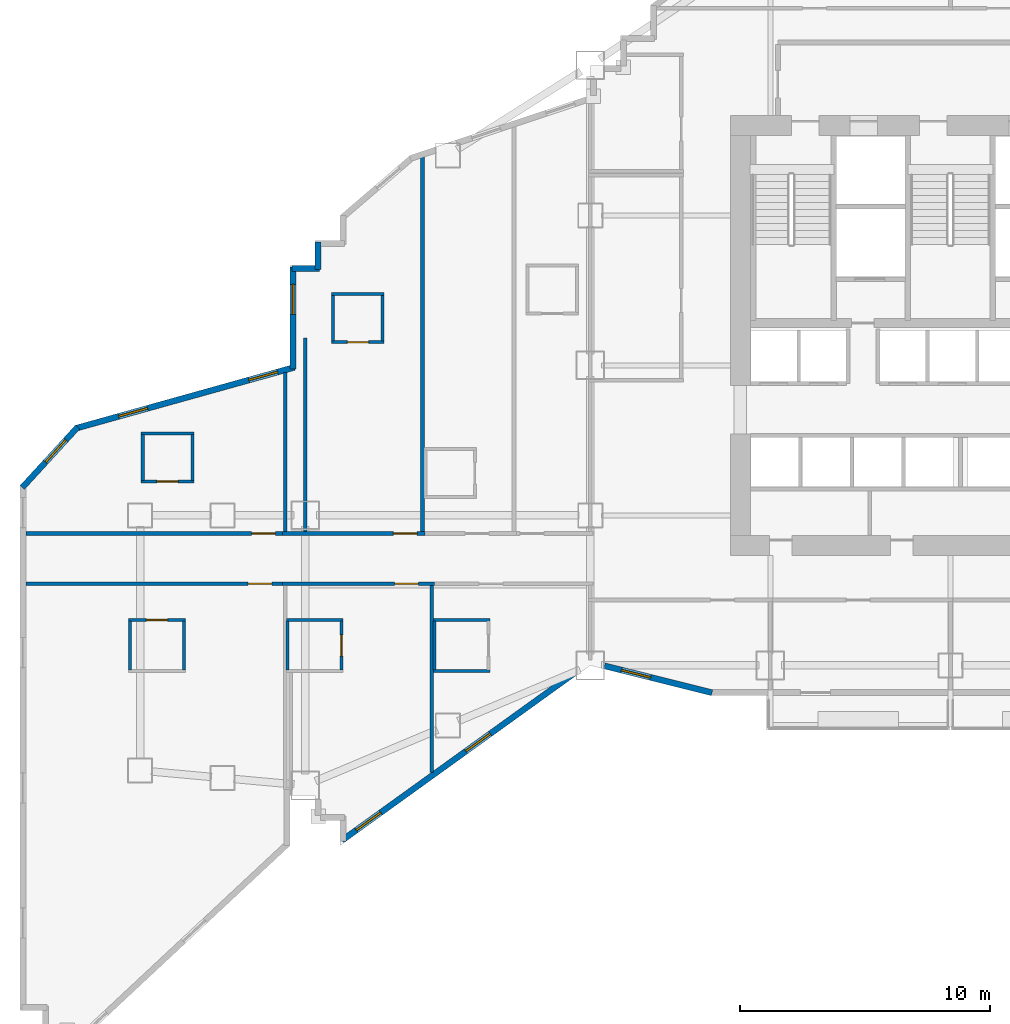
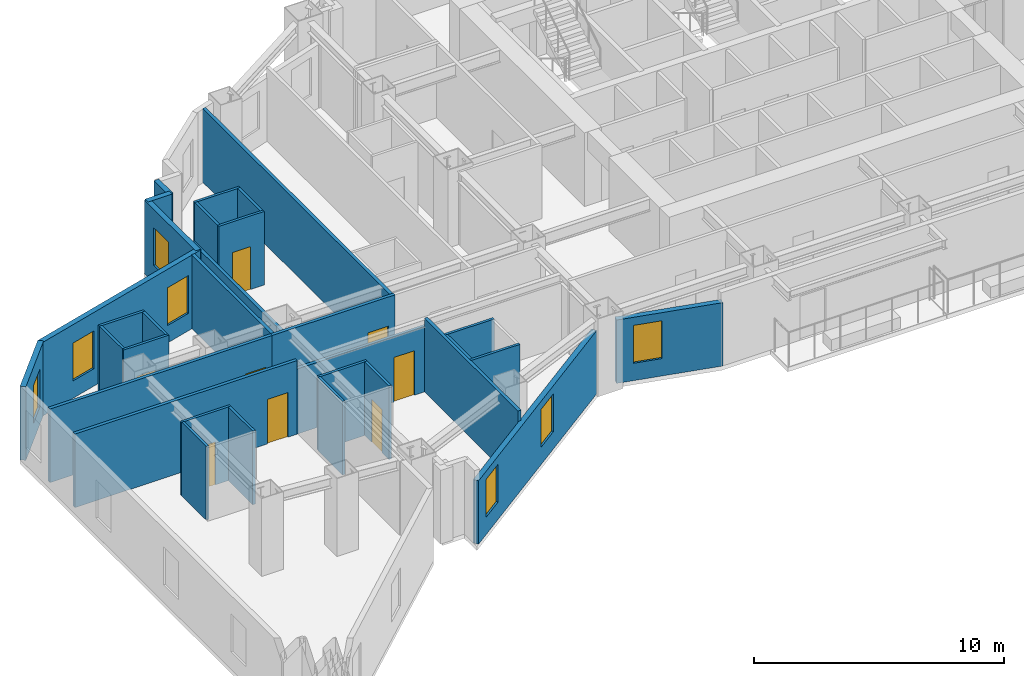
# One storey, part 7 of 16: 32 walls, 8 doors, 7 windows, 15 openings.
"""IFC4 building model written with IfcOpenShell, lengths in metres."""

from ifc_helpers import new_model, si_unit, direction, frame, frame_2d, origin, place, context, subcontext, project, spatial, rectangle, extrude, material, layer, layer_set, type_object, element, fill, save


model = new_model("IFC4")

# Units and contexts
model_context = context("Model", 3, precision=1e-05, world=origin(), true_north=direction((0.0, 1.0)))
body_context = subcontext(model_context, "Body", "Model", "MODEL_VIEW")
ifc_project = project(units=[si_unit("LENGTHUNIT", "METRE"), si_unit("AREAUNIT", "SQUARE_METRE"), si_unit("VOLUMEUNIT", "CUBIC_METRE"), si_unit("PLANEANGLEUNIT", "RADIAN"), si_unit("MASSUNIT", "GRAM", prefix="KILO")], contexts=[model_context])

# Site, building, storey
site_placement = place(None, origin())
site = spatial("IfcSite", under=ifc_project, at=site_placement, CompositionType="ELEMENT")
building_placement = place(site_placement, origin())
building = spatial("IfcBuilding", under=site, at=building_placement, Name="Haolan Belvedere Tower", CompositionType="ELEMENT")
storey_placement = place(building_placement, frame((0.0, 0.0, 74.199951171875)))
storey = spatial("IfcBuildingStorey", under=building, at=storey_placement, Name="L18", CompositionType="ELEMENT", Elevation=74.199951171875)

# Wall, openings, windows
ifc_material_1 = material(Name="Precast concrete C40/50", Category="concrete")
ifc_layer_1 = layer(ifc_material_1, 0.239990234375, Name="Precast concrete C40/50")
ifc_layer_set_1 = layer_set([ifc_layer_1], Name="Precast concrete C40/50")
wall_type_1 = type_object("IfcWallType", Name="WL-EXT-240", PredefinedType="SOLIDWALL", material=ifc_layer_set_1)
wall_1_placement = place(storey_placement, frame((14.075439453125, 14.602294921875, 0.0), z_axis=(0.0, 0.0, 1.0), x_axis=(0.811543176492, 0.58429245476, 0.0)))
wall_1 = element("IfcWall", 1, at=wall_1_placement, inside=storey, type_object=wall_type_1, Name="L18 pale-metal exterior spandrel wall 11.1", PredefinedType="SOLIDWALL", context=body_context, shape_type="SweptSolid", body=[
    extrude(rectangle(XDim=11.53076171875, YDim=0.239990234375, at=frame_2d((5.765380859375, 0.0))), origin(), (0.0, 0.0, 1.0), 3.09716796875),
])
opening_1_placement = place(wall_1_placement, frame((0.699951171875, 0.0, 0.85009765625)))
opening_1 = element("IfcOpeningElement", 2, at=opening_1_placement, cuts=wall_1, Name="Opening W-01", PredefinedType="OPENING", context=body_context, shape_type="SweptSolid", body=[
    extrude(rectangle(XDim=1.199951171875, YDim=1.85009765625, at=frame_2d((0.60009765625, 0.925048828125))), frame((0.0, 0.1298828125, 0.0), z_axis=(0.0, -1.0, 0.0), x_axis=(1.0, 0.0, 0.0)), (0.0, 0.0, 1.0), 0.260009765625),
])
opening_2_placement = place(wall_1_placement, frame((6.10009765625, 0.0, 0.85009765625)))
opening_2 = element("IfcOpeningElement", 3, at=opening_2_placement, cuts=wall_1, Name="Opening W-01", PredefinedType="OPENING", context=body_context, shape_type="SweptSolid", body=[
    extrude(rectangle(XDim=1.199951171875, YDim=1.85009765625, at=frame_2d((0.60009765625, 0.925048828125))), frame((0.0, 0.1298828125, 0.0), z_axis=(0.0, -1.0, 0.0), x_axis=(1.0, 0.0, 0.0)), (0.0, 0.0, 1.0), 0.260009765625),
])
ifc_material_2 = material(Name="Anodised aluminium 6063-T6 and Low-E glass", Category="aluminium")
window_type = type_object("IfcWindowType", Name="WN-DECO-Z1", PartitioningType="SINGLE_PANEL", PredefinedType="WINDOW", material=ifc_material_2)
window_1_placement = place(opening_1_placement, origin())
window_1 = element("IfcWindow", 4, at=window_1_placement, inside=storey, type_object=window_type, Name="L18 Art Deco chevron window 1", OverallHeight=1.85009765625, OverallWidth=1.199951171875, PartitioningType="SINGLE_PANEL", PredefinedType="WINDOW", context=body_context, shape_type="SweptSolid", body=[
    extrude(rectangle(XDim=1.199951171875, YDim=1.85009765625, at=frame_2d((0.60009765625, 0.925048828125))), frame((0.0, 0.030029296875, 0.0), z_axis=(0.0, -1.0, 0.0), x_axis=(1.0, 0.0, 0.0)), (0.0, 0.0, 1.0), 0.06005859375),
])
fill(opening_1, window_1)
window_2_placement = place(opening_2_placement, origin())
window_2 = element("IfcWindow", 5, at=window_2_placement, inside=storey, type_object=window_type, Name="L18 Art Deco chevron window 2", OverallHeight=1.85009765625, OverallWidth=1.199951171875, PartitioningType="SINGLE_PANEL", PredefinedType="WINDOW", context=body_context, shape_type="SweptSolid", body=[
    extrude(rectangle(XDim=1.199951171875, YDim=1.85009765625, at=frame_2d((0.60009765625, 0.925048828125))), frame((0.0, 0.030029296875, 0.0), z_axis=(0.0, -1.0, 0.0), x_axis=(1.0, 0.0, 0.0)), (0.0, 0.0, 1.0), 0.06005859375),
])
fill(opening_2, window_2)

# Wall, opening, window
wall_2_placement = place(storey_placement, frame((24.56689453125, 21.581787109375, 0.0), z_axis=(0.0, 0.0, 1.0), x_axis=(0.970148978127, -0.24250971164, 0.0)))
wall_2 = element("IfcWall", 6, at=wall_2_placement, inside=storey, type_object=wall_type_1, Name="L18 pale-metal exterior spandrel wall 12.1", PredefinedType="SOLIDWALL", context=body_context, shape_type="SweptSolid", body=[
    extrude(rectangle(XDim=4.43359375, YDim=0.239990234375, at=frame_2d((2.216796875, 0.0))), origin(), (0.0, 0.0, 1.0), 3.09716796875),
])
opening_3_placement = place(wall_2_placement, frame((0.699951171875, 0.0, 0.85009765625)))
opening_3 = element("IfcOpeningElement", 7, at=opening_3_placement, cuts=wall_2, Name="Opening W-01", PredefinedType="OPENING", context=body_context, shape_type="SweptSolid", body=[
    extrude(rectangle(XDim=1.199951171875, YDim=1.85009765625, at=frame_2d((0.60009765625, 0.925048828125))), frame((0.0, 0.1298828125, 0.0), z_axis=(0.0, -1.0, 0.0), x_axis=(1.0, 0.0, 0.0)), (0.0, 0.0, 1.0), 0.260009765625),
])
window_3_placement = place(opening_3_placement, origin())
window_3 = element("IfcWindow", 8, at=window_3_placement, inside=storey, type_object=window_type, Name="L18 Art Deco chevron window 1", OverallHeight=1.85009765625, OverallWidth=1.199951171875, PartitioningType="SINGLE_PANEL", PredefinedType="WINDOW", context=body_context, shape_type="SweptSolid", body=[
    extrude(rectangle(XDim=1.199951171875, YDim=1.85009765625, at=frame_2d((0.60009765625, 0.925048828125))), frame((0.0, 0.030029296875, 0.0), z_axis=(0.0, -1.0, 0.0), x_axis=(1.0, 0.0, 0.0)), (0.0, 0.0, 1.0), 0.06005859375),
])
fill(opening_3, window_3)

# Walls
wall_3_placement = place(storey_placement, frame((13.1201171875, 38.534912109375, 0.0), z_axis=(0.0, 0.0, 1.0), x_axis=(0.0, -1.0, 0.0)))
element("IfcWall", 9, at=wall_3_placement, inside=storey, type_object=wall_type_1, Name="L18 pale-metal exterior spandrel wall 54.1", PredefinedType="SOLIDWALL", context=body_context, shape_type="SweptSolid", body=[
    extrude(rectangle(XDim=1.10986328125, YDim=0.239990234375, at=frame_2d((0.554931640625, 0.0))), origin(), (0.0, 0.0, 1.0), 3.60009765625),
])
wall_4_placement = place(storey_placement, frame((13.175048828125, 37.47998046875, 0.0), z_axis=(0.0, 0.0, 1.0), x_axis=(-1.0, 0.0, 0.0)))
element("IfcWall", 10, at=wall_4_placement, inside=storey, type_object=wall_type_1, Name="L18 pale-metal exterior spandrel wall 55.1", PredefinedType="SOLIDWALL", context=body_context, shape_type="SweptSolid", body=[
    extrude(rectangle(XDim=1.110107421875, YDim=0.239990234375, at=frame_2d((0.55517578125, 0.0))), origin(), (0.0, 0.0, 1.0), 3.60009765625),
])

# Wall, opening, window
wall_5_placement = place(storey_placement, frame((12.1201171875, 37.534912109375, 0.0), z_axis=(0.0, 0.0, 1.0), x_axis=(0.0, -1.0, 0.0)))
wall_5 = element("IfcWall", 11, at=wall_5_placement, inside=storey, type_object=wall_type_1, Name="L18 pale-metal exterior spandrel wall 56.1", PredefinedType="SOLIDWALL", context=body_context, shape_type="SweptSolid", body=[
    extrude(rectangle(XDim=4.0810546875, YDim=0.239990234375, at=frame_2d((2.04052734375, 0.0))), origin(), (0.0, 0.0, 1.0), 3.60009765625),
])
opening_4_placement = place(wall_5_placement, frame((0.699951171875, 0.0, 0.85009765625)))
opening_4 = element("IfcOpeningElement", 12, at=opening_4_placement, cuts=wall_5, Name="Opening W-01", PredefinedType="OPENING", context=body_context, shape_type="SweptSolid", body=[
    extrude(rectangle(XDim=1.199951171875, YDim=1.85009765625, at=frame_2d((0.60009765625, 0.925048828125))), frame((0.0, 0.1298828125, 0.0), z_axis=(0.0, -1.0, 0.0), x_axis=(1.0, 0.0, 0.0)), (0.0, 0.0, 1.0), 0.260009765625),
])
window_4_placement = place(opening_4_placement, origin())
window_4 = element("IfcWindow", 13, at=window_4_placement, inside=storey, type_object=window_type, Name="L18 Art Deco chevron window 1", OverallHeight=1.85009765625, OverallWidth=1.199951171875, PartitioningType="SINGLE_PANEL", PredefinedType="WINDOW", context=body_context, shape_type="SweptSolid", body=[
    extrude(rectangle(XDim=1.199951171875, YDim=1.85009765625, at=frame_2d((0.60009765625, 0.925048828125))), frame((0.0, 0.030029296875, 0.0), z_axis=(0.0, -1.0, 0.0), x_axis=(1.0, 0.0, 0.0)), (0.0, 0.0, 1.0), 0.06005859375),
])
fill(opening_4, window_4)

# Wall, openings, windows
wall_6_placement = place(storey_placement, frame((12.173095703125, 33.523681640625, 0.0), z_axis=(0.0, 0.0, 1.0), x_axis=(-0.963197271032, -0.268795493036, 0.0)))
wall_6 = element("IfcWall", 14, at=wall_6_placement, inside=storey, type_object=wall_type_1, Name="L18 pale-metal exterior spandrel wall 57.1", PredefinedType="SOLIDWALL", context=body_context, shape_type="SweptSolid", body=[
    extrude(rectangle(XDim=9.095458984375, YDim=0.239990234375, at=frame_2d((4.5478515625, 0.0))), origin(), (0.0, 0.0, 1.0), 3.60009765625),
])
opening_5_placement = place(wall_6_placement, frame((0.699951171875, 0.0, 0.85009765625)))
opening_5 = element("IfcOpeningElement", 15, at=opening_5_placement, cuts=wall_6, Name="Opening W-01", PredefinedType="OPENING", context=body_context, shape_type="SweptSolid", body=[
    extrude(rectangle(XDim=1.199951171875, YDim=1.85009765625, at=frame_2d((0.60009765625, 0.925048828125))), frame((0.0, 0.1298828125, 0.0), z_axis=(0.0, -1.0, 0.0), x_axis=(1.0, 0.0, 0.0)), (0.0, 0.0, 1.0), 0.260009765625),
])
opening_6_placement = place(wall_6_placement, frame((6.10009765625, 0.0, 0.85009765625)))
opening_6 = element("IfcOpeningElement", 16, at=opening_6_placement, cuts=wall_6, Name="Opening W-01", PredefinedType="OPENING", context=body_context, shape_type="SweptSolid", body=[
    extrude(rectangle(XDim=1.199951171875, YDim=1.85009765625, at=frame_2d((0.60009765625, 0.925048828125))), frame((0.0, 0.1298828125, 0.0), z_axis=(0.0, -1.0, 0.0), x_axis=(1.0, 0.0, 0.0)), (0.0, 0.0, 1.0), 0.260009765625),
])
window_5_placement = place(opening_5_placement, origin())
window_5 = element("IfcWindow", 17, at=window_5_placement, inside=storey, type_object=window_type, Name="L18 Art Deco chevron window 1", OverallHeight=1.85009765625, OverallWidth=1.199951171875, PartitioningType="SINGLE_PANEL", PredefinedType="WINDOW", context=body_context, shape_type="SweptSolid", body=[
    extrude(rectangle(XDim=1.199951171875, YDim=1.85009765625, at=frame_2d((0.60009765625, 0.925048828125))), frame((0.0, 0.030029296875, 0.0), z_axis=(0.0, -1.0, 0.0), x_axis=(1.0, 0.0, 0.0)), (0.0, 0.0, 1.0), 0.06005859375),
])
fill(opening_5, window_5)
window_6_placement = place(opening_6_placement, origin())
window_6 = element("IfcWindow", 18, at=window_6_placement, inside=storey, type_object=window_type, Name="L18 Art Deco chevron window 2", OverallHeight=1.85009765625, OverallWidth=1.199951171875, PartitioningType="SINGLE_PANEL", PredefinedType="WINDOW", context=body_context, shape_type="SweptSolid", body=[
    extrude(rectangle(XDim=1.199951171875, YDim=1.85009765625, at=frame_2d((0.60009765625, 0.925048828125))), frame((0.0, 0.030029296875, 0.0), z_axis=(0.0, -1.0, 0.0), x_axis=(1.0, 0.0, 0.0)), (0.0, 0.0, 1.0), 0.06005859375),
])
fill(opening_6, window_6)

# Wall, opening, window
wall_7_placement = place(storey_placement, frame((3.50244140625, 31.134033203125, 0.0), z_axis=(0.0, 0.0, 1.0), x_axis=(-0.675781844312, -0.737101688302, 0.0)))
wall_7 = element("IfcWall", 19, at=wall_7_placement, inside=storey, type_object=wall_type_1, Name="L18 pale-metal exterior spandrel wall 58.1", PredefinedType="SOLIDWALL", context=body_context, shape_type="SweptSolid", body=[
    extrude(rectangle(XDim=3.28466796875, YDim=0.239990234375, at=frame_2d((1.642333984375, 0.0))), origin(), (0.0, 0.0, 1.0), 3.60009765625),
])
opening_7_placement = place(wall_7_placement, frame((0.699951171875, 0.0, 0.85009765625)))
opening_7 = element("IfcOpeningElement", 20, at=opening_7_placement, cuts=wall_7, Name="Opening W-01", PredefinedType="OPENING", context=body_context, shape_type="SweptSolid", body=[
    extrude(rectangle(XDim=1.199951171875, YDim=1.85009765625, at=frame_2d((0.60009765625, 0.925048828125))), frame((0.0, 0.1298828125, 0.0), z_axis=(0.0, -1.0, 0.0), x_axis=(1.0, 0.0, 0.0)), (0.0, 0.0, 1.0), 0.260009765625),
])
window_7_placement = place(opening_7_placement, origin())
window_7 = element("IfcWindow", 21, at=window_7_placement, inside=storey, type_object=window_type, Name="L18 Art Deco chevron window 1", OverallHeight=1.85009765625, OverallWidth=1.199951171875, PartitioningType="SINGLE_PANEL", PredefinedType="WINDOW", context=body_context, shape_type="SweptSolid", body=[
    extrude(rectangle(XDim=1.199951171875, YDim=1.85009765625, at=frame_2d((0.60009765625, 0.925048828125))), frame((0.0, 0.030029296875, 0.0), z_axis=(0.0, -1.0, 0.0), x_axis=(1.0, 0.0, 0.0)), (0.0, 0.0, 1.0), 0.06005859375),
])
fill(opening_7, window_7)

# Wall, opening, door
ifc_material_3 = material(Name="Double gypsum acoustic stud partition", Category="masonry")
ifc_layer_2 = layer(ifc_material_3, 0.14990234375, Name="Double gypsum acoustic stud partition")
ifc_layer_set_2 = layer_set([ifc_layer_2], Name="Double gypsum acoustic stud partition")
wall_type_2 = type_object("IfcWallType", Name="WL-PART-150", PredefinedType="PARTITIONING", material=ifc_layer_set_2)
wall_8_placement = place(storey_placement, frame((11.699951171875, 26.8798828125, 0.0), z_axis=(0.0, 0.0, 1.0), x_axis=(1.0, 0.0, 0.0)))
wall_8 = element("IfcWall", 22, at=wall_8_placement, inside=storey, type_object=wall_type_2, Name="L18 interior partition IW-L18-T2N1-S", PredefinedType="PARTITIONING", context=body_context, shape_type="SweptSolid", body=[
    extrude(rectangle(XDim=5.68994140625, YDim=0.14990234375, at=frame_2d((2.844970703125, 0.0))), origin(), (0.0, 0.0, 1.0), 3.60009765625),
])
opening_8_placement = place(wall_8_placement, frame((4.422119140625, 0.0, 0.0)))
opening_8 = element("IfcOpeningElement", 23, at=opening_8_placement, cuts=wall_8, Name="Opening ID-01", PredefinedType="OPENING", context=body_context, shape_type="SweptSolid", body=[
    extrude(rectangle(XDim=0.949951171875, YDim=2.179931640625, at=frame_2d((0.47509765625, 1.08984375))), frame((0.0, 0.0849609375, 0.0), z_axis=(0.0, -1.0, 0.0), x_axis=(1.0, 0.0, 0.0)), (0.0, 0.0, 1.0), 0.169921875),
])
ifc_material_4 = material(Name="Acoustic walnut veneer fire-rated timber", Category="wood")
door_type_1 = type_object("IfcDoorType", Name="DR-SUITE-950", OperationType="NOTDEFINED", PredefinedType="DOOR", material=ifc_material_4)
door_1_placement = place(opening_8_placement, origin())
door_1 = element("IfcDoor", 24, at=door_1_placement, inside=storey, type_object=door_type_1, Name="L18 door ID-L18-T2N1-ENT", OperationType="SINGLE_SWING_RIGHT", OverallHeight=2.179931640625, OverallWidth=0.949951171875, PredefinedType="DOOR", context=body_context, shape_type="SweptSolid", body=[
    extrude(rectangle(XDim=0.949951171875, YDim=2.179931640625, at=frame_2d((0.47509765625, 1.08984375))), frame((0.0, 0.02490234375, 0.0), z_axis=(0.0, -1.0, 0.0), x_axis=(1.0, 0.0, 0.0)), (0.0, 0.0, 1.0), 0.050048828125),
])
fill(opening_8, door_1)

# Walls
wall_9_placement = place(storey_placement, frame((11.800048828125, 26.93994140625, 0.0), z_axis=(0.0, 0.0, 1.0), x_axis=(0.0, 1.0, 0.0)))
element("IfcWall", 25, at=wall_9_placement, inside=storey, type_object=wall_type_2, Name="L18 interior partition IW-L18-T2N1-W", PredefinedType="PARTITIONING", context=body_context, shape_type="SweptSolid", body=[
    extrude(rectangle(XDim=6.37060546875, YDim=0.14990234375, at=frame_2d((3.185302734375, 0.0))), origin(), (0.0, 0.0, 1.0), 3.60009765625),
])
wall_10_placement = place(storey_placement, frame((17.2900390625, 26.93994140625, 0.0), z_axis=(0.0, 0.0, 1.0), x_axis=(0.0, 1.0, 0.0)))
element("IfcWall", 26, at=wall_10_placement, inside=storey, type_object=wall_type_2, Name="L18 interior partition IW-L18-T2N1-E", PredefinedType="PARTITIONING", context=body_context, shape_type="SweptSolid", body=[
    extrude(rectangle(XDim=14.986328125, YDim=0.14990234375, at=frame_2d((7.4931640625, 0.0))), origin(), (0.0, 0.0, 1.0), 3.60009765625),
])

# Wall, opening, door
wall_11_placement = place(storey_placement, frame((11.699951171875, 24.8701171875, 0.0), z_axis=(0.0, 0.0, 1.0), x_axis=(1.0, 0.0, 0.0)))
wall_11 = element("IfcWall", 27, at=wall_11_placement, inside=storey, type_object=wall_type_2, Name="L18 interior partition IW-L18-T2S1-N", PredefinedType="PARTITIONING", context=body_context, shape_type="SweptSolid", body=[
    extrude(rectangle(XDim=6.06005859375, YDim=0.14990234375, at=frame_2d((3.030029296875, 0.0))), origin(), (0.0, 0.0, 1.0), 3.18505859375),
])
opening_9_placement = place(wall_11_placement, frame((5.427490234375, 0.0, 0.0), z_axis=(0.0, 0.0, 1.0), x_axis=(-1.0, 0.0, 0.0)))
opening_9 = element("IfcOpeningElement", 28, at=opening_9_placement, cuts=wall_11, Name="Opening ID-01", PredefinedType="OPENING", context=body_context, shape_type="SweptSolid", body=[
    extrude(rectangle(XDim=0.949951171875, YDim=2.179931640625, at=frame_2d((0.47509765625, 1.08984375))), frame((0.0, 0.0849609375, 0.0), z_axis=(0.0, -1.0, 0.0), x_axis=(1.0, 0.0, 0.0)), (0.0, 0.0, 1.0), 0.169921875),
])
door_2_placement = place(opening_9_placement, origin())
door_2 = element("IfcDoor", 29, at=door_2_placement, inside=storey, type_object=door_type_1, Name="L18 door ID-L18-T2S1-ENT", OperationType="SINGLE_SWING_LEFT", OverallHeight=2.179931640625, OverallWidth=0.949951171875, PredefinedType="DOOR", context=body_context, shape_type="SweptSolid", body=[
    extrude(rectangle(XDim=0.949951171875, YDim=2.179931640625, at=frame_2d((0.47509765625, 1.08984375))), frame((0.0, 0.02490234375, 0.0), z_axis=(0.0, -1.0, 0.0), x_axis=(1.0, 0.0, 0.0)), (0.0, 0.0, 1.0), 0.050048828125),
])
fill(opening_9, door_2)

# Wall
wall_12_placement = place(storey_placement, frame((17.659912109375, 17.3125, 0.0), z_axis=(0.0, 0.0, 1.0), x_axis=(0.0, 1.0, 0.0)))
element("IfcWall", 30, at=wall_12_placement, inside=storey, type_object=wall_type_2, Name="L18 interior partition IW-L18-T2S1-E", PredefinedType="PARTITIONING", context=body_context, shape_type="SweptSolid", body=[
    extrude(rectangle(XDim=7.49755859375, YDim=0.14990234375, at=frame_2d((3.748779296875, 0.0))), origin(), (0.0, 0.0, 1.0), 3.60009765625),
])

# Wall, opening, door
wall_13_placement = place(storey_placement, frame((1.425048828125, 24.8701171875, 0.0), z_axis=(0.0, 0.0, 1.0), x_axis=(1.0, 0.0, 0.0)))
wall_13 = element("IfcWall", 31, at=wall_13_placement, inside=storey, type_object=wall_type_2, Name="L18 interior partition IW-L18-T1S1-N", PredefinedType="PARTITIONING", context=body_context, shape_type="SweptSolid", body=[
    extrude(rectangle(XDim=10.27294921875, YDim=0.14990234375, at=frame_2d((5.136474609375, 0.0))), origin(), (0.0, 0.0, 1.0), 3.60009765625),
])
opening_10_placement = place(wall_13_placement, frame((9.84375, 0.0, 0.0), z_axis=(0.0, 0.0, 1.0), x_axis=(-1.0, 0.0, 0.0)))
opening_10 = element("IfcOpeningElement", 32, at=opening_10_placement, cuts=wall_13, Name="Opening ID-01", PredefinedType="OPENING", context=body_context, shape_type="SweptSolid", body=[
    extrude(rectangle(XDim=0.949951171875, YDim=2.179931640625, at=frame_2d((0.47509765625, 1.08984375))), frame((0.0, 0.0849609375, 0.0), z_axis=(0.0, -1.0, 0.0), x_axis=(1.0, 0.0, 0.0)), (0.0, 0.0, 1.0), 0.169921875),
])
door_3_placement = place(opening_10_placement, origin())
door_3 = element("IfcDoor", 33, at=door_3_placement, inside=storey, type_object=door_type_1, Name="L18 door ID-L18-T1S1-ENT", OperationType="SINGLE_SWING_RIGHT", OverallHeight=2.179931640625, OverallWidth=0.949951171875, PredefinedType="DOOR", context=body_context, shape_type="SweptSolid", body=[
    extrude(rectangle(XDim=0.949951171875, YDim=2.179931640625, at=frame_2d((0.47509765625, 1.08984375))), frame((0.0, 0.02490234375, 0.0), z_axis=(0.0, -1.0, 0.0), x_axis=(1.0, 0.0, 0.0)), (0.0, 0.0, 1.0), 0.050048828125),
])
fill(opening_10, door_3)

wall_14_placement = place(storey_placement, frame((1.425048828125, 26.8798828125, 0.0), z_axis=(0.0, 0.0, 1.0), x_axis=(1.0, 0.0, 0.0)))
wall_14 = element("IfcWall", 34, at=wall_14_placement, inside=storey, type_object=wall_type_2, Name="L18 interior partition IW-L18-T1N1-S", PredefinedType="PARTITIONING", context=body_context, shape_type="SweptSolid", body=[
    extrude(rectangle(XDim=10.27294921875, YDim=0.14990234375, at=frame_2d((5.136474609375, 0.0))), origin(), (0.0, 0.0, 1.0), 3.60009765625),
])
opening_11_placement = place(wall_14_placement, frame((9.036376953125, 0.0, 0.0)))
opening_11 = element("IfcOpeningElement", 35, at=opening_11_placement, cuts=wall_14, Name="Opening ID-02", PredefinedType="OPENING", context=body_context, shape_type="SweptSolid", body=[
    extrude(rectangle(XDim=0.949951171875, YDim=2.14990234375, at=frame_2d((0.47509765625, 1.074951171875))), frame((0.0, 0.0849609375, 0.0), z_axis=(0.0, -1.0, 0.0), x_axis=(1.0, 0.0, 0.0)), (0.0, 0.0, 1.0), 0.169921875),
])
ifc_material_5 = material(Name="Acoustic oak veneer fire-rated timber", Category="wood")
door_type_2 = type_object("IfcDoorType", Name="DR-GUEST-950", OperationType="NOTDEFINED", PredefinedType="DOOR", material=ifc_material_5)
door_4_placement = place(opening_11_placement, origin())
door_4 = element("IfcDoor", 36, at=door_4_placement, inside=storey, type_object=door_type_2, Name="L18 door ID-L18-T1N1-ENT", OperationType="SINGLE_SWING_RIGHT", OverallHeight=2.14990234375, OverallWidth=0.949951171875, PredefinedType="DOOR", context=body_context, shape_type="SweptSolid", body=[
    extrude(rectangle(XDim=0.949951171875, YDim=2.14990234375, at=frame_2d((0.47509765625, 1.074951171875))), frame((0.0, 0.02490234375, 0.0), z_axis=(0.0, -1.0, 0.0), x_axis=(1.0, 0.0, 0.0)), (0.0, 0.0, 1.0), 0.050048828125),
])
fill(opening_11, door_4)

# Walls
wall_15_placement = place(storey_placement, frame((12.60009765625, 26.93994140625, 0.0), z_axis=(0.0, 0.0, 1.0), x_axis=(0.0, 1.0, 0.0)))
element("IfcWall", 37, at=wall_15_placement, inside=storey, type_object=wall_type_2, Name="L18 interior partition IW-L18-T1N1-E", PredefinedType="PARTITIONING", context=body_context, shape_type="SweptSolid", body=[
    extrude(rectangle(XDim=7.760009765625, YDim=0.14990234375, at=frame_2d((3.8798828125, 0.0))), origin(), (0.0, 0.0, 1.0), 3.09716796875),
])
ifc_material_6 = material(Name="Moisture-resistant gypsum tile partition", Category="masonry")
ifc_layer_3 = layer(ifc_material_6, 0.1201171875, Name="Moisture-resistant gypsum tile partition")
ifc_layer_set_3 = layer_set([ifc_layer_3], Name="Moisture-resistant gypsum tile partition")
wall_type_3 = type_object("IfcWallType", Name="WL-WET-120", PredefinedType="PARTITIONING", material=ifc_layer_set_3)
wall_16_placement = place(storey_placement, frame((13.659912109375, 36.446044921875, 0.0), z_axis=(0.0, 0.0, 1.0), x_axis=(1.0, 0.0, 0.0)))
element("IfcWall", 38, at=wall_16_placement, inside=storey, type_object=wall_type_3, Name="L18 interior partition IW-L18-T2N1-BN", PredefinedType="PARTITIONING", context=body_context, shape_type="SweptSolid", body=[
    extrude(rectangle(XDim=2.10009765625, YDim=0.1201171875, at=frame_2d((1.050048828125, 0.0))), origin(), (0.0, 0.0, 1.0), 3.60009765625),
])

# Wall, opening, door
wall_17_placement = place(storey_placement, frame((13.659912109375, 34.52587890625, 0.0), z_axis=(0.0, 0.0, 1.0), x_axis=(1.0, 0.0, 0.0)))
wall_17 = element("IfcWall", 39, at=wall_17_placement, inside=storey, type_object=wall_type_3, Name="L18 interior partition IW-L18-T2N1-BS", PredefinedType="PARTITIONING", context=body_context, shape_type="SweptSolid", body=[
    extrude(rectangle(XDim=2.10009765625, YDim=0.1201171875, at=frame_2d((1.050048828125, 0.0))), origin(), (0.0, 0.0, 1.0), 3.60009765625),
])
opening_12_placement = place(wall_17_placement, frame((0.625, 0.0, 0.0)))
opening_12 = element("IfcOpeningElement", 40, at=opening_12_placement, cuts=wall_17, Name="Opening ID-05", PredefinedType="OPENING", context=body_context, shape_type="SweptSolid", body=[
    extrude(rectangle(XDim=0.85009765625, YDim=2.10009765625, at=frame_2d((0.425048828125, 1.050048828125))), frame((0.0, 0.070068359375, 0.0), z_axis=(0.0, -1.0, 0.0), x_axis=(1.0, 0.0, 0.0)), (0.0, 0.0, 1.0), 0.14013671875),
])
ifc_material_7 = material(Name="Moisture-resistant lacquered timber", Category="wood")
door_type_3 = type_object("IfcDoorType", Name="DR-BATH-850", OperationType="NOTDEFINED", PredefinedType="DOOR", material=ifc_material_7)
door_5_placement = place(opening_12_placement, origin())
door_5 = element("IfcDoor", 41, at=door_5_placement, inside=storey, type_object=door_type_3, Name="L18 door ID-L18-T2N1-BATH", OperationType="SINGLE_SWING_LEFT", OverallHeight=2.10009765625, OverallWidth=0.85009765625, PredefinedType="DOOR", context=body_context, shape_type="SweptSolid", body=[
    extrude(rectangle(XDim=0.85009765625, YDim=2.10009765625, at=frame_2d((0.425048828125, 1.050048828125))), frame((0.0, 0.02490234375, 0.0), z_axis=(0.0, -1.0, 0.0), x_axis=(1.0, 0.0, 0.0)), (0.0, 0.0, 1.0), 0.050048828125),
])
fill(opening_12, door_5)

# Walls
for number, where, z_axis, x_axis, name in (
    (42, (13.719970703125, 34.571044921875, 0.0), (0.0, 0.0, 1.0), (0.0, 1.0, 0.0), "L18 interior partition IW-L18-T2N1-BW"),
    (43, (15.699951171875, 34.571044921875, 0.0), (0.0, 0.0, 1.0), (0.0, 1.0, 0.0), "L18 interior partition IW-L18-T2N1-BE"),
):
    element("IfcWall", number, at=place(storey_placement, frame(where, z_axis=z_axis, x_axis=x_axis)), inside=storey, type_object=wall_type_3, Name=name, PredefinedType="PARTITIONING", context=body_context, shape_type="SweptSolid", body=[
        extrude(rectangle(XDim=1.829833984375, YDim=0.1201171875, at=frame_2d((0.9150390625, 0.0))), origin(), (0.0, 0.0, 1.0), 3.60009765625),
    ])
wall_18_placement = place(storey_placement, frame((11.860107421875, 23.419921875, 0.0), z_axis=(0.0, 0.0, 1.0), x_axis=(1.0, 0.0, 0.0)))
element("IfcWall", 44, at=wall_18_placement, inside=storey, type_object=wall_type_3, Name="L18 interior partition IW-L18-T2S1-BN", PredefinedType="PARTITIONING", context=body_context, shape_type="SweptSolid", body=[
    extrude(rectangle(XDim=2.25, YDim=0.1201171875, at=frame_2d((1.125, 0.0))), origin(), (0.0, 0.0, 1.0), 3.60009765625),
])
wall_19_placement = place(storey_placement, frame((11.89990234375, 21.4150390625, 0.0), z_axis=(0.0, 0.0, 1.0), x_axis=(0.0, 1.0, 0.0)))
element("IfcWall", 45, at=wall_19_placement, inside=storey, type_object=wall_type_3, Name="L18 interior partition IW-L18-T2S1-BW", PredefinedType="PARTITIONING", context=body_context, shape_type="SweptSolid", body=[
    extrude(rectangle(XDim=1.9599609375, YDim=0.1201171875, at=frame_2d((0.97998046875, 0.0))), origin(), (0.0, 0.0, 1.0), 3.60009765625),
])

# Wall, opening, door
wall_20_placement = place(storey_placement, frame((14.050048828125, 21.4150390625, 0.0), z_axis=(0.0, 0.0, 1.0), x_axis=(0.0, 1.0, 0.0)))
wall_20 = element("IfcWall", 46, at=wall_20_placement, inside=storey, type_object=wall_type_3, Name="L18 interior partition IW-L18-T2S1-BE", PredefinedType="PARTITIONING", context=body_context, shape_type="SweptSolid", body=[
    extrude(rectangle(XDim=1.9599609375, YDim=0.1201171875, at=frame_2d((0.97998046875, 0.0))), origin(), (0.0, 0.0, 1.0), 3.60009765625),
])
opening_13_placement = place(wall_20_placement, frame((0.554931640625, 0.0, 0.0)))
opening_13 = element("IfcOpeningElement", 47, at=opening_13_placement, cuts=wall_20, Name="Opening ID-05", PredefinedType="OPENING", context=body_context, shape_type="SweptSolid", body=[
    extrude(rectangle(XDim=0.85009765625, YDim=2.10009765625, at=frame_2d((0.425048828125, 1.050048828125))), frame((0.0, 0.070068359375, 0.0), z_axis=(0.0, -1.0, 0.0), x_axis=(1.0, 0.0, 0.0)), (0.0, 0.0, 1.0), 0.14013671875),
])
door_6_placement = place(opening_13_placement, origin())
door_6 = element("IfcDoor", 48, at=door_6_placement, inside=storey, type_object=door_type_3, Name="L18 door ID-L18-T2S1-BATH", OperationType="SINGLE_SWING_RIGHT", OverallHeight=2.10009765625, OverallWidth=0.85009765625, PredefinedType="DOOR", context=body_context, shape_type="SweptSolid", body=[
    extrude(rectangle(XDim=0.85009765625, YDim=2.10009765625, at=frame_2d((0.425048828125, 1.050048828125))), frame((0.0, 0.02490234375, 0.0), z_axis=(0.0, -1.0, 0.0), x_axis=(1.0, 0.0, 0.0)), (0.0, 0.0, 1.0), 0.050048828125),
])
fill(opening_13, door_6)

# Walls
for number, where, z_axis, x_axis, name in (
    (49, (17.719970703125, 23.419921875, 0.0), (0.0, 0.0, 1.0), (1.0, 0.0, 0.0), "L18 interior partition IW-L18-T2S2-BN"),
    (50, (17.719970703125, 21.3701171875, 0.0), (0.0, 0.0, 1.0), (1.0, 0.0, 0.0), "L18 interior partition IW-L18-T2S2-BS"),
):
    element("IfcWall", number, at=place(storey_placement, frame(where, z_axis=z_axis, x_axis=x_axis)), inside=storey, type_object=wall_type_3, Name=name, PredefinedType="PARTITIONING", context=body_context, shape_type="SweptSolid", body=[
        extrude(rectangle(XDim=2.26513671875, YDim=0.1201171875, at=frame_2d((1.132568359375, 0.0))), origin(), (0.0, 0.0, 1.0), 3.60009765625),
    ])
wall_21_placement = place(storey_placement, frame((17.77490234375, 21.4150390625, 0.0), z_axis=(0.0, 0.0, 1.0), x_axis=(0.0, 1.0, 0.0)))
element("IfcWall", 51, at=wall_21_placement, inside=storey, type_object=wall_type_3, Name="L18 interior partition IW-L18-T2S2-BW", PredefinedType="PARTITIONING", context=body_context, shape_type="SweptSolid", body=[
    extrude(rectangle(XDim=1.9599609375, YDim=0.1201171875, at=frame_2d((0.97998046875, 0.0))), origin(), (0.0, 0.0, 1.0), 3.60009765625),
])

# Wall, opening, door
wall_22_placement = place(storey_placement, frame((5.5400390625, 23.419921875, 0.0), z_axis=(0.0, 0.0, 1.0), x_axis=(1.0, 0.0, 0.0)))
wall_22 = element("IfcWall", 52, at=wall_22_placement, inside=storey, type_object=wall_type_3, Name="L18 interior partition IW-L18-T1S1-BN", PredefinedType="PARTITIONING", context=body_context, shape_type="SweptSolid", body=[
    extrude(rectangle(XDim=2.27001953125, YDim=0.1201171875, at=frame_2d((1.135009765625, 0.0))), origin(), (0.0, 0.0, 1.0), 3.60009765625),
])
opening_14_placement = place(wall_22_placement, frame((1.56005859375, 0.0, 0.0), z_axis=(0.0, 0.0, 1.0), x_axis=(-1.0, 0.0, 0.0)))
opening_14 = element("IfcOpeningElement", 53, at=opening_14_placement, cuts=wall_22, Name="Opening ID-05", PredefinedType="OPENING", context=body_context, shape_type="SweptSolid", body=[
    extrude(rectangle(XDim=0.85009765625, YDim=2.10009765625, at=frame_2d((0.425048828125, 1.050048828125))), frame((0.0, 0.070068359375, 0.0), z_axis=(0.0, -1.0, 0.0), x_axis=(1.0, 0.0, 0.0)), (0.0, 0.0, 1.0), 0.14013671875),
])
door_7_placement = place(opening_14_placement, origin())
door_7 = element("IfcDoor", 54, at=door_7_placement, inside=storey, type_object=door_type_3, Name="L18 door ID-L18-T1S1-BATH", OperationType="SINGLE_SWING_LEFT", OverallHeight=2.10009765625, OverallWidth=0.85009765625, PredefinedType="DOOR", context=body_context, shape_type="SweptSolid", body=[
    extrude(rectangle(XDim=0.85009765625, YDim=2.10009765625, at=frame_2d((0.425048828125, 1.050048828125))), frame((0.0, 0.02490234375, 0.0), z_axis=(0.0, -1.0, 0.0), x_axis=(1.0, 0.0, 0.0)), (0.0, 0.0, 1.0), 0.050048828125),
])
fill(opening_14, door_7)

# Walls
for number, where, z_axis, x_axis, name in (
    (55, (5.60009765625, 21.4150390625, 0.0), (0.0, 0.0, 1.0), (0.0, 1.0, 0.0), "L18 interior partition IW-L18-T1S1-BW"),
    (56, (7.75, 21.4150390625, 0.0), (0.0, 0.0, 1.0), (0.0, 1.0, 0.0), "L18 interior partition IW-L18-T1S1-BE"),
):
    element("IfcWall", number, at=place(storey_placement, frame(where, z_axis=z_axis, x_axis=x_axis)), inside=storey, type_object=wall_type_3, Name=name, PredefinedType="PARTITIONING", context=body_context, shape_type="SweptSolid", body=[
        extrude(rectangle(XDim=1.9599609375, YDim=0.1201171875, at=frame_2d((0.97998046875, 0.0))), origin(), (0.0, 0.0, 1.0), 3.60009765625),
    ])
wall_23_placement = place(storey_placement, frame((6.04296875, 30.876953125, 0.0), z_axis=(0.0, 0.0, 1.0), x_axis=(1.0, 0.0, 0.0)))
element("IfcWall", 57, at=wall_23_placement, inside=storey, type_object=wall_type_3, Name="L18 interior partition IW-L18-T1N1-BN", PredefinedType="PARTITIONING", context=body_context, shape_type="SweptSolid", body=[
    extrude(rectangle(XDim=2.10009765625, YDim=0.1201171875, at=frame_2d((1.050048828125, 0.0))), origin(), (0.0, 0.0, 1.0), 3.60009765625),
])

# Wall, opening, door
wall_24_placement = place(storey_placement, frame((6.04296875, 28.95703125, 0.0), z_axis=(0.0, 0.0, 1.0), x_axis=(1.0, 0.0, 0.0)))
wall_24 = element("IfcWall", 58, at=wall_24_placement, inside=storey, type_object=wall_type_3, Name="L18 interior partition IW-L18-T1N1-BS", PredefinedType="PARTITIONING", context=body_context, shape_type="SweptSolid", body=[
    extrude(rectangle(XDim=2.10009765625, YDim=0.1201171875, at=frame_2d((1.050048828125, 0.0))), origin(), (0.0, 0.0, 1.0), 3.60009765625),
])
opening_15_placement = place(wall_24_placement, frame((0.625, 0.0, 0.0)))
opening_15 = element("IfcOpeningElement", 59, at=opening_15_placement, cuts=wall_24, Name="Opening ID-05", PredefinedType="OPENING", context=body_context, shape_type="SweptSolid", body=[
    extrude(rectangle(XDim=0.85009765625, YDim=2.10009765625, at=frame_2d((0.425048828125, 1.050048828125))), frame((0.0, 0.070068359375, 0.0), z_axis=(0.0, -1.0, 0.0), x_axis=(1.0, 0.0, 0.0)), (0.0, 0.0, 1.0), 0.14013671875),
])
door_8_placement = place(opening_15_placement, origin())
door_8 = element("IfcDoor", 60, at=door_8_placement, inside=storey, type_object=door_type_3, Name="L18 door ID-L18-T1N1-BATH", OperationType="SINGLE_SWING_LEFT", OverallHeight=2.10009765625, OverallWidth=0.85009765625, PredefinedType="DOOR", context=body_context, shape_type="SweptSolid", body=[
    extrude(rectangle(XDim=0.85009765625, YDim=2.10009765625, at=frame_2d((0.425048828125, 1.050048828125))), frame((0.0, 0.02490234375, 0.0), z_axis=(0.0, -1.0, 0.0), x_axis=(1.0, 0.0, 0.0)), (0.0, 0.0, 1.0), 0.050048828125),
])
fill(opening_15, door_8)

# Walls
for number, where, z_axis, x_axis, name in (
    (61, (6.10302734375, 29.001953125, 0.0), (0.0, 0.0, 1.0), (0.0, 1.0, 0.0), "L18 interior partition IW-L18-T1N1-BW"),
    (62, (8.0830078125, 29.001953125, 0.0), (0.0, 0.0, 1.0), (0.0, 1.0, 0.0), "L18 interior partition IW-L18-T1N1-BE"),
):
    element("IfcWall", number, at=place(storey_placement, frame(where, z_axis=z_axis, x_axis=x_axis)), inside=storey, type_object=wall_type_3, Name=name, PredefinedType="PARTITIONING", context=body_context, shape_type="SweptSolid", body=[
        extrude(rectangle(XDim=1.830078125, YDim=0.1201171875, at=frame_2d((0.9150390625, 0.0))), origin(), (0.0, 0.0, 1.0), 3.60009765625),
    ])

save(model, "model.ifc")
